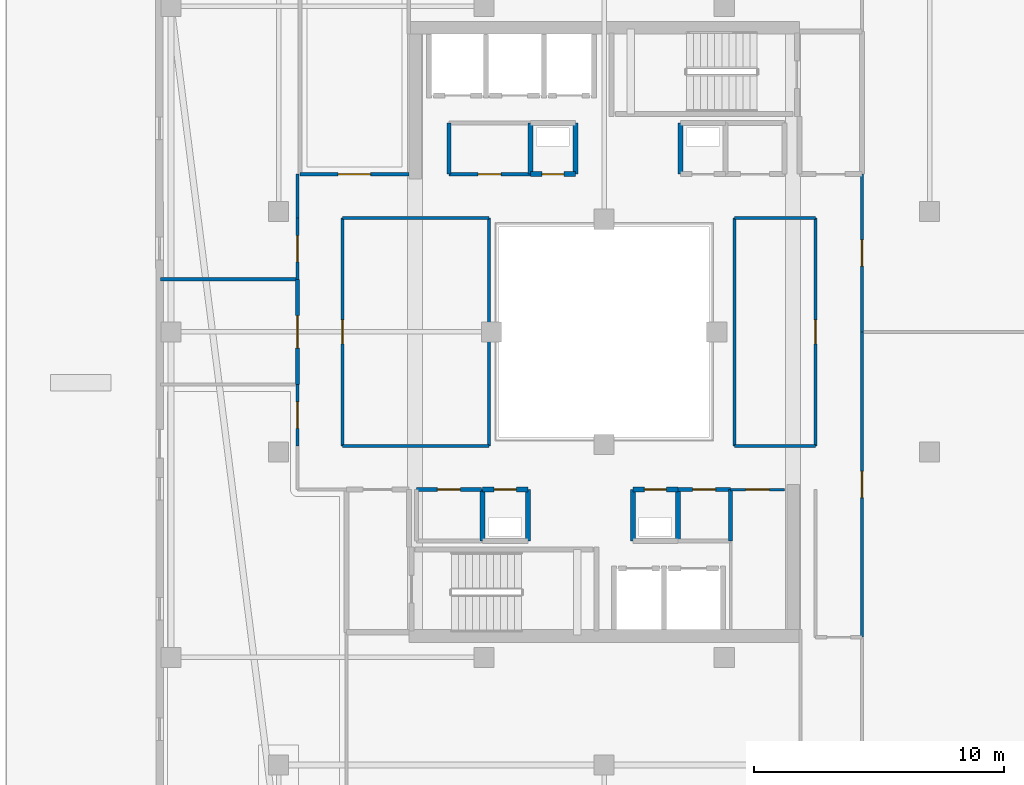
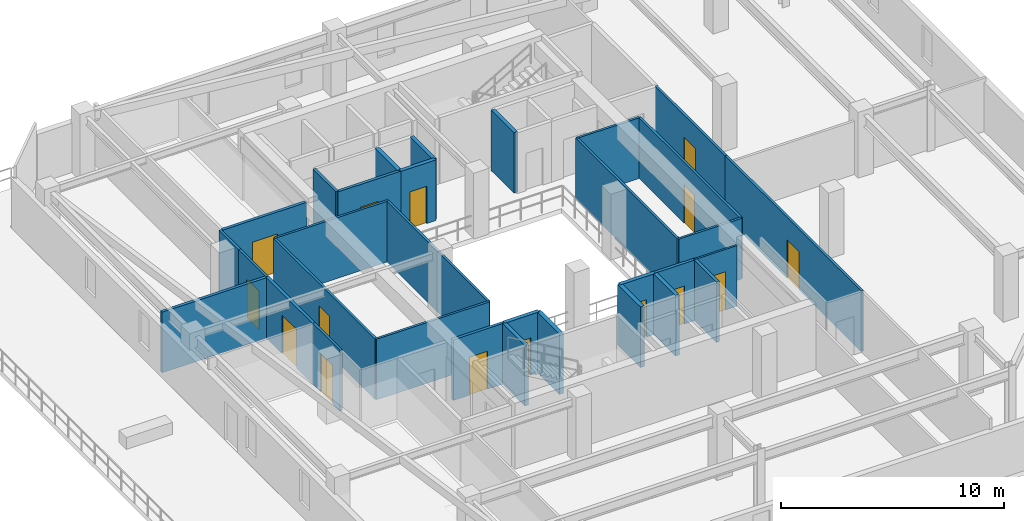
# One storey, part 19 of 31: 32 walls, 15 doors, 15 openings.
"""IFC4 building model written with IfcOpenShell, lengths in metres."""

from ifc_helpers import new_model, si_unit, direction, frame, frame_2d, origin, place, context, subcontext, project, spatial, rectangle, extrude, material, layer, layer_set, type_object, element, fill, save


model = new_model("IFC4")

# Units and contexts
model_context = context("Model", 3, precision=1e-05, world=origin(), true_north=direction((0.0, 1.0)))
body_context = subcontext(model_context, "Body", "Model", "MODEL_VIEW")
ifc_project = project(units=[si_unit("LENGTHUNIT", "METRE"), si_unit("AREAUNIT", "SQUARE_METRE"), si_unit("VOLUMEUNIT", "CUBIC_METRE"), si_unit("PLANEANGLEUNIT", "RADIAN"), si_unit("MASSUNIT", "GRAM", prefix="KILO")], contexts=[model_context])

# Site, building, storey
site_placement = place(None, origin())
site = spatial("IfcSite", under=ifc_project, at=site_placement, CompositionType="ELEMENT")
building_placement = place(site_placement, origin())
building = spatial("IfcBuilding", under=site, at=building_placement, Name="Thornwick Lancets Civic Towers", CompositionType="ELEMENT")
storey_placement = place(building_placement, frame((0.0, 0.0, 254.699951171875)))
storey = spatial("IfcBuildingStorey", under=building, at=storey_placement, Name="L68", CompositionType="ELEMENT", Elevation=254.699951171875)

# Wall
ifc_material_1 = material(Name="Concrete blockwork C40/50", Category="masonry")
ifc_layer_1 = layer(ifc_material_1, 0.199951171875, Name="Concrete blockwork C40/50")
ifc_layer_set_1 = layer_set([ifc_layer_1], Name="Concrete blockwork C40/50")
wall_type_1 = type_object("IfcWallType", Name="WALL_COMP_200", PredefinedType="STANDARD", material=ifc_layer_set_1)
wall_1_placement = place(storey_placement, frame((28.449951171875, 18.64990234375, 0.0), z_axis=(0.0, 0.0, 1.0), x_axis=(0.0, 1.0, 0.0)))
element("IfcWall", 1, at=wall_1_placement, inside=storey, type_object=wall_type_1, Name="L68 Partition L68-A-DUCT1 E2", PredefinedType="STANDARD", context=body_context, shape_type="SweptSolid", body=[
    extrude(rectangle(XDim=2.050048828125, YDim=0.199951171875, at=frame_2d((1.02490234375, 0.0))), origin(), (0.0, 0.0, 1.0), 3.320068359375),
])

# Wall, opening, door
wall_2_placement = place(storey_placement, frame((28.449951171875, 20.699951171875, 0.0), z_axis=(0.0, 0.0, 1.0), x_axis=(-1.0, 0.0, 0.0)))
wall_2 = element("IfcWall", 2, at=wall_2_placement, inside=storey, type_object=wall_type_1, Name="L68 Partition L68-A-DUCT1 E3", PredefinedType="STANDARD", context=body_context, shape_type="SweptSolid", body=[
    extrude(rectangle(XDim=1.800048828125, YDim=0.199951171875, at=frame_2d((0.89990234375, 0.0))), origin(), (0.0, 0.0, 1.0), 3.320068359375),
])
opening_1_placement = place(wall_2_placement, frame((0.4599609375, 0.0, 0.0)))
opening_1 = element("IfcOpeningElement", 3, at=opening_1_placement, cuts=wall_2, Name="Opening D-L68-3093", PredefinedType="OPENING", context=body_context, shape_type="SweptSolid", body=[
    extrude(rectangle(XDim=0.8798828125, YDim=2.0400390625, at=frame_2d((0.43994140625, 1.02001953125))), frame((0.0, 0.10986328125, 0.0), z_axis=(0.0, -1.0, 0.0), x_axis=(1.0, 0.0, 0.0)), (0.0, 0.0, 1.0), 0.219970703125),
])
ifc_material_2 = material(Name="Steel riser access doorset", Category="steel")
door_type_1 = type_object("IfcDoorType", Name="DOOR_RISER_850", OperationType="NOTDEFINED", PredefinedType="DOOR", material=ifc_material_2)
door_1_placement = place(opening_1_placement, origin())
door_1 = element("IfcDoor", 4, at=door_1_placement, inside=storey, type_object=door_type_1, Name="L68 South Service Duct 1 Door", OperationType="SINGLE_SWING_RIGHT", OverallHeight=2.0400390625, OverallWidth=0.8798828125, PredefinedType="DOOR", context=body_context, shape_type="SweptSolid", body=[
    extrude(rectangle(XDim=0.8798828125, YDim=2.0400390625, at=frame_2d((0.43994140625, 1.02001953125))), frame((0.0, 0.02490234375, 0.0), z_axis=(0.0, -1.0, 0.0), x_axis=(1.0, 0.0, 0.0)), (0.0, 0.0, 1.0), 0.050048828125),
])
fill(opening_1, door_1)

# Walls
for number, where, z_axis, x_axis, name in (
    (5, (26.64990234375, 20.699951171875, 0.0), (0.0, 0.0, 1.0), (0.0, -1.0, 0.0), "L68 Partition L68-A-DUCT1 E4"),
    (6, (22.449951171875, 18.64990234375, 0.0), (0.0, 0.0, 1.0), (0.0, 1.0, 0.0), "L68 Partition L68-A-RISER1 E2"),
):
    element("IfcWall", number, at=place(storey_placement, frame(where, z_axis=z_axis, x_axis=x_axis)), inside=storey, type_object=wall_type_1, Name=name, PredefinedType="STANDARD", context=body_context, shape_type="SweptSolid", body=[
        extrude(rectangle(XDim=2.050048828125, YDim=0.199951171875, at=frame_2d((1.02490234375, 0.0))), origin(), (0.0, 0.0, 1.0), 3.320068359375),
    ])

# Wall, opening, door
wall_3_placement = place(storey_placement, frame((22.449951171875, 20.699951171875, 0.0), z_axis=(0.0, 0.0, 1.0), x_axis=(-1.0, 0.0, 0.0)))
wall_3 = element("IfcWall", 7, at=wall_3_placement, inside=storey, type_object=wall_type_1, Name="L68 Partition L68-A-RISER1 E3", PredefinedType="STANDARD", context=body_context, shape_type="SweptSolid", body=[
    extrude(rectangle(XDim=1.800048828125, YDim=0.199951171875, at=frame_2d((0.89990234375, 0.0))), origin(), (0.0, 0.0, 1.0), 3.320068359375),
])
opening_2_placement = place(wall_3_placement, frame((0.4599609375, 0.0, 0.0)))
opening_2 = element("IfcOpeningElement", 8, at=opening_2_placement, cuts=wall_3, Name="Opening D-L68-3094", PredefinedType="OPENING", context=body_context, shape_type="SweptSolid", body=[
    extrude(rectangle(XDim=0.8798828125, YDim=2.0400390625, at=frame_2d((0.43994140625, 1.02001953125))), frame((0.0, 0.10986328125, 0.0), z_axis=(0.0, -1.0, 0.0), x_axis=(1.0, 0.0, 0.0)), (0.0, 0.0, 1.0), 0.219970703125),
])
door_2_placement = place(opening_2_placement, origin())
door_2 = element("IfcDoor", 9, at=door_2_placement, inside=storey, type_object=door_type_1, Name="L68 South Electrical Riser 1 Door", OperationType="SINGLE_SWING_LEFT", OverallHeight=2.0400390625, OverallWidth=0.8798828125, PredefinedType="DOOR", context=body_context, shape_type="SweptSolid", body=[
    extrude(rectangle(XDim=0.8798828125, YDim=2.0400390625, at=frame_2d((0.43994140625, 1.02001953125))), frame((0.0, 0.02490234375, 0.0), z_axis=(0.0, -1.0, 0.0), x_axis=(1.0, 0.0, 0.0)), (0.0, 0.0, 1.0), 0.050048828125),
])
fill(opening_2, door_2)

# Wall
wall_4_placement = place(storey_placement, frame((20.64990234375, 20.699951171875, 0.0), z_axis=(0.0, 0.0, 1.0), x_axis=(0.0, -1.0, 0.0)))
element("IfcWall", 10, at=wall_4_placement, inside=storey, type_object=wall_type_1, Name="L68 Partition L68-A-RISER1 E4", PredefinedType="STANDARD", context=body_context, shape_type="SweptSolid", body=[
    extrude(rectangle(XDim=2.050048828125, YDim=0.199951171875, at=frame_2d((1.02490234375, 0.0))), origin(), (0.0, 0.0, 1.0), 3.320068359375),
])

# Wall, opening, door
wall_5_placement = place(storey_placement, frame((22.550048828125, 33.300048828125, 0.0), z_axis=(0.0, 0.0, 1.0), x_axis=(1.0, 0.0, 0.0)))
wall_5 = element("IfcWall", 11, at=wall_5_placement, inside=storey, type_object=wall_type_1, Name="L68 Partition L68-A-DUCT2 E1", PredefinedType="STANDARD", context=body_context, shape_type="SweptSolid", body=[
    extrude(rectangle(XDim=1.800048828125, YDim=0.199951171875, at=frame_2d((0.89990234375, 0.0))), origin(), (0.0, 0.0, 1.0), 3.320068359375),
])
opening_3_placement = place(wall_5_placement, frame((0.4599609375, 0.0, 0.0)))
opening_3 = element("IfcOpeningElement", 12, at=opening_3_placement, cuts=wall_5, Name="Opening D-L68-3095", PredefinedType="OPENING", context=body_context, shape_type="SweptSolid", body=[
    extrude(rectangle(XDim=0.8798828125, YDim=2.0400390625, at=frame_2d((0.43994140625, 1.02001953125))), frame((0.0, 0.10986328125, 0.0), z_axis=(0.0, -1.0, 0.0), x_axis=(1.0, 0.0, 0.0)), (0.0, 0.0, 1.0), 0.219970703125),
])
door_3_placement = place(opening_3_placement, origin())
door_3 = element("IfcDoor", 13, at=door_3_placement, inside=storey, type_object=door_type_1, Name="L68 North Service Duct 2 Door", OperationType="SINGLE_SWING_RIGHT", OverallHeight=2.0400390625, OverallWidth=0.8798828125, PredefinedType="DOOR", context=body_context, shape_type="SweptSolid", body=[
    extrude(rectangle(XDim=0.8798828125, YDim=2.0400390625, at=frame_2d((0.43994140625, 1.02001953125))), frame((0.0, 0.02490234375, 0.0), z_axis=(0.0, -1.0, 0.0), x_axis=(1.0, 0.0, 0.0)), (0.0, 0.0, 1.0), 0.050048828125),
])
fill(opening_3, door_3)

# Walls
for number, where, z_axis, x_axis, name in (
    (14, (24.35009765625, 33.300048828125, 0.0), (0.0, 0.0, 1.0), (0.0, 1.0, 0.0), "L68 Partition L68-A-DUCT2 E2"),
    (15, (22.550048828125, 35.35009765625, 0.0), (0.0, 0.0, 1.0), (0.0, -1.0, 0.0), "L68 Partition L68-A-DUCT2 E4"),
    (16, (28.550048828125, 35.35009765625, 0.0), (0.0, 0.0, 1.0), (0.0, -1.0, 0.0), "L68 Partition L68-A-RISER2 E4"),
):
    element("IfcWall", number, at=place(storey_placement, frame(where, z_axis=z_axis, x_axis=x_axis)), inside=storey, type_object=wall_type_1, Name=name, PredefinedType="STANDARD", context=body_context, shape_type="SweptSolid", body=[
        extrude(rectangle(XDim=2.050048828125, YDim=0.199951171875, at=frame_2d((1.02490234375, 0.0))), origin(), (0.0, 0.0, 1.0), 3.320068359375),
    ])

# Wall, opening, door
ifc_material_3 = material(Name="Lightweight cellular office partition")
ifc_layer_2 = layer(ifc_material_3, 0.10009765625, Name="Lightweight cellular office partition")
ifc_layer_set_2 = layer_set([ifc_layer_2], Name="Lightweight cellular office partition")
wall_type_2 = type_object("IfcWallType", Name="WALL_PART_100", PredefinedType="PARTITIONING", material=ifc_layer_set_2)
wall_6_placement = place(storey_placement, frame((30.550048828125, 20.699951171875, 0.0), z_axis=(0.0, 0.0, 1.0), x_axis=(1.0, 0.0, 0.0)))
wall_6 = element("IfcWall", 17, at=wall_6_placement, inside=storey, type_object=wall_type_2, Name="L68 Partition L68-A-CLN E5", PredefinedType="PARTITIONING", context=body_context, shape_type="SweptSolid", body=[
    extrude(rectangle(XDim=2.14990234375, YDim=0.10009765625, at=frame_2d((1.074951171875, 0.0))), origin(), (0.0, 0.0, 1.0), 3.320068359375),
])
opening_4_placement = place(wall_6_placement, frame((0.60009765625, 0.0, 0.0)))
opening_4 = element("IfcOpeningElement", 18, at=opening_4_placement, cuts=wall_6, Name="Opening D-L68-3099", PredefinedType="OPENING", context=body_context, shape_type="SweptSolid", body=[
    extrude(rectangle(XDim=0.949951171875, YDim=2.10009765625, at=frame_2d((0.47509765625, 1.050048828125))), frame((0.0, 0.06005859375, 0.0), z_axis=(0.0, -1.0, 0.0), x_axis=(1.0, 0.0, 0.0)), (0.0, 0.0, 1.0), 0.1201171875),
])
ifc_material_4 = material(Name="European oak acoustic doorset")
door_type_2 = type_object("IfcDoorType", Name="DOOR_OFFICE_950", OperationType="NOTDEFINED", PredefinedType="DOOR", material=ifc_material_4)
door_4_placement = place(opening_4_placement, origin())
door_4 = element("IfcDoor", 19, at=door_4_placement, inside=storey, type_object=door_type_2, Name="L68 Tower A Cleaners Store Door", OperationType="SINGLE_SWING_RIGHT", OverallHeight=2.10009765625, OverallWidth=0.949951171875, PredefinedType="DOOR", context=body_context, shape_type="SweptSolid", body=[
    extrude(rectangle(XDim=0.949951171875, YDim=2.10009765625, at=frame_2d((0.47509765625, 1.050048828125))), frame((0.0, 0.02490234375, 0.0), z_axis=(0.0, -1.0, 0.0), x_axis=(1.0, 0.0, 0.0)), (0.0, 0.0, 1.0), 0.050048828125),
])
fill(opening_4, door_4)

ifc_material_5 = material(Name="Acoustic gypsum board partition")
ifc_layer_3 = layer(ifc_material_5, 0.1201171875, Name="Acoustic gypsum board partition")
ifc_layer_set_3 = layer_set([ifc_layer_3], Name="Acoustic gypsum board partition")
wall_type_3 = type_object("IfcWallType", Name="WALL_PART_120", PredefinedType="PARTITIONING", material=ifc_layer_set_3)
wall_7_placement = place(storey_placement, frame((13.25, 24.89990234375, 0.0), z_axis=(0.0, 0.0, 1.0), x_axis=(0.0, -1.0, 0.0)))
wall_7 = element("IfcWall", 20, at=wall_7_placement, inside=storey, type_object=wall_type_3, Name="L68 Partition L68-A-W1 E1", PredefinedType="PARTITIONING", context=body_context, shape_type="SweptSolid", body=[
    extrude(rectangle(XDim=2.449951171875, YDim=0.1201171875, at=frame_2d((1.22509765625, 0.0))), origin(), (0.0, 0.0, 1.0), 3.320068359375),
])
opening_5_placement = place(wall_7_placement, frame((0.699951171875, 0.0, 0.0)))
opening_5 = element("IfcOpeningElement", 21, at=opening_5_placement, cuts=wall_7, Name="Opening D-L68-3115", PredefinedType="OPENING", context=body_context, shape_type="SweptSolid", body=[
    extrude(rectangle(XDim=1.050048828125, YDim=2.10009765625, at=frame_2d((0.52490234375, 1.050048828125))), frame((0.0, 0.070068359375, 0.0), z_axis=(0.0, -1.0, 0.0), x_axis=(1.0, 0.0, 0.0)), (0.0, 0.0, 1.0), 0.14013671875),
])
ifc_material_6 = material(Name="Glazed European oak executive doorset")
door_type_3 = type_object("IfcDoorType", Name="DOOR_OFFICE_1050", OperationType="NOTDEFINED", PredefinedType="DOOR", material=ifc_material_6)
door_5_placement = place(opening_5_placement, origin())
door_5 = element("IfcDoor", 22, at=door_5_placement, inside=storey, type_object=door_type_3, Name="L68 Tower A Ministry Directorate Office W1 Door", OperationType="SINGLE_SWING_RIGHT", OverallHeight=2.10009765625, OverallWidth=1.050048828125, PredefinedType="DOOR", context=body_context, shape_type="SweptSolid", body=[
    extrude(rectangle(XDim=1.050048828125, YDim=2.10009765625, at=frame_2d((0.52490234375, 1.050048828125))), frame((0.0, 0.02490234375, 0.0), z_axis=(0.0, -1.0, 0.0), x_axis=(1.0, 0.0, 0.0)), (0.0, 0.0, 1.0), 0.050048828125),
])
fill(opening_5, door_5)

# Wall
wall_8_placement = place(storey_placement, frame((13.25, 33.300048828125, 0.0), z_axis=(0.0, 0.0, 1.0), x_axis=(0.0, -1.0, 0.0)))
element("IfcWall", 23, at=wall_8_placement, inside=storey, type_object=wall_type_3, Name="L68 Partition L68-A-W2B E5", PredefinedType="PARTITIONING", context=body_context, shape_type="SweptSolid", body=[
    extrude(rectangle(XDim=1.75, YDim=0.1201171875, at=frame_2d((0.875, 0.0))), origin(), (0.0, 0.0, 1.0), 3.320068359375),
])

# Wall, opening, door
wall_9_placement = place(storey_placement, frame((13.25, 31.550048828125, 0.0), z_axis=(0.0, 0.0, 1.0), x_axis=(0.0, -1.0, 0.0)))
wall_9 = element("IfcWall", 24, at=wall_9_placement, inside=storey, type_object=wall_type_3, Name="L68 Partition L68-A-W2B E6", PredefinedType="PARTITIONING", context=body_context, shape_type="SweptSolid", body=[
    extrude(rectangle(XDim=2.449951171875, YDim=0.1201171875, at=frame_2d((1.22509765625, 0.0))), origin(), (0.0, 0.0, 1.0), 3.320068359375),
])
opening_6_placement = place(wall_9_placement, frame((0.699951171875, 0.0, 0.0)))
opening_6 = element("IfcOpeningElement", 25, at=opening_6_placement, cuts=wall_9, Name="Opening D-L68-3117", PredefinedType="OPENING", context=body_context, shape_type="SweptSolid", body=[
    extrude(rectangle(XDim=1.050048828125, YDim=2.10009765625, at=frame_2d((0.52490234375, 1.050048828125))), frame((0.0, 0.070068359375, 0.0), z_axis=(0.0, -1.0, 0.0), x_axis=(1.0, 0.0, 0.0)), (0.0, 0.0, 1.0), 0.14013671875),
])
door_6_placement = place(opening_6_placement, origin())
door_6 = element("IfcDoor", 26, at=door_6_placement, inside=storey, type_object=door_type_3, Name="L68 Tower A Parliamentary Casework Suite W2B Door", OperationType="SINGLE_SWING_RIGHT", OverallHeight=2.10009765625, OverallWidth=1.050048828125, PredefinedType="DOOR", context=body_context, shape_type="SweptSolid", body=[
    extrude(rectangle(XDim=1.050048828125, YDim=2.10009765625, at=frame_2d((0.52490234375, 1.050048828125))), frame((0.0, 0.02490234375, 0.0), z_axis=(0.0, -1.0, 0.0), x_axis=(1.0, 0.0, 0.0)), (0.0, 0.0, 1.0), 0.050048828125),
])
fill(opening_6, door_6)

wall_10_placement = place(storey_placement, frame((15.050048828125, 22.449951171875, 0.0), z_axis=(0.0, 0.0, 1.0), x_axis=(0.0, 1.0, 0.0)))
wall_10 = element("IfcWall", 27, at=wall_10_placement, inside=storey, type_object=wall_type_3, Name="L68 Partition L68-A-W3 E1", PredefinedType="PARTITIONING", context=body_context, shape_type="SweptSolid", body=[
    extrude(rectangle(XDim=9.10009765625, YDim=0.1201171875, at=frame_2d((4.550048828125, 0.0))), origin(), (0.0, 0.0, 1.0), 3.320068359375),
])
opening_7_placement = place(wall_10_placement, frame((4.074951171875, 0.0, 0.0)))
opening_7 = element("IfcOpeningElement", 28, at=opening_7_placement, cuts=wall_10, Name="Opening D-L68-3118", PredefinedType="OPENING", context=body_context, shape_type="SweptSolid", body=[
    extrude(rectangle(XDim=0.949951171875, YDim=2.10009765625, at=frame_2d((0.47509765625, 1.050048828125))), frame((0.0, 0.070068359375, 0.0), z_axis=(0.0, -1.0, 0.0), x_axis=(1.0, 0.0, 0.0)), (0.0, 0.0, 1.0), 0.14013671875),
])
door_7_placement = place(opening_7_placement, origin())
door_7 = element("IfcDoor", 29, at=door_7_placement, inside=storey, type_object=door_type_2, Name="L68 Tower A West Atrium Gallery Suite Door", OperationType="SINGLE_SWING_LEFT", OverallHeight=2.10009765625, OverallWidth=0.949951171875, PredefinedType="DOOR", context=body_context, shape_type="SweptSolid", body=[
    extrude(rectangle(XDim=0.949951171875, YDim=2.10009765625, at=frame_2d((0.47509765625, 1.050048828125))), frame((0.0, 0.02490234375, 0.0), z_axis=(0.0, -1.0, 0.0), x_axis=(1.0, 0.0, 0.0)), (0.0, 0.0, 1.0), 0.050048828125),
])
fill(opening_7, door_7)

# Walls
wall_11_placement = place(storey_placement, frame((15.050048828125, 31.550048828125, 0.0), z_axis=(0.0, 0.0, 1.0), x_axis=(1.0, 0.0, 0.0)))
element("IfcWall", 30, at=wall_11_placement, inside=storey, type_object=wall_type_3, Name="L68 Partition L68-A-W3 E2", PredefinedType="PARTITIONING", context=body_context, shape_type="SweptSolid", body=[
    extrude(rectangle(XDim=5.849853515625, YDim=0.1201171875, at=frame_2d((2.9248046875, 0.0))), origin(), (0.0, 0.0, 1.0), 3.320068359375),
])
wall_12_placement = place(storey_placement, frame((20.89990234375, 31.550048828125, 0.0), z_axis=(0.0, 0.0, 1.0), x_axis=(0.0, -1.0, 0.0)))
element("IfcWall", 31, at=wall_12_placement, inside=storey, type_object=wall_type_3, Name="L68 Partition L68-A-W3 E3", PredefinedType="PARTITIONING", context=body_context, shape_type="SweptSolid", body=[
    extrude(rectangle(XDim=9.10009765625, YDim=0.1201171875, at=frame_2d((4.550048828125, 0.0))), origin(), (0.0, 0.0, 1.0), 3.320068359375),
])
wall_13_placement = place(storey_placement, frame((20.89990234375, 22.449951171875, 0.0), z_axis=(0.0, 0.0, 1.0), x_axis=(-1.0, 0.0, 0.0)))
element("IfcWall", 32, at=wall_13_placement, inside=storey, type_object=wall_type_3, Name="L68 Partition L68-A-W3 E4", PredefinedType="PARTITIONING", context=body_context, shape_type="SweptSolid", body=[
    extrude(rectangle(XDim=5.849853515625, YDim=0.1201171875, at=frame_2d((2.9248046875, 0.0))), origin(), (0.0, 0.0, 1.0), 3.320068359375),
])

# Wall, opening, door
wall_14_placement = place(storey_placement, frame((35.800048828125, 14.800048828125, 0.0), z_axis=(0.0, 0.0, 1.0), x_axis=(0.0, 1.0, 0.0)))
wall_14 = element("IfcWall", 33, at=wall_14_placement, inside=storey, type_object=wall_type_3, Name="L68 Partition L68-A-E1 E3", PredefinedType="PARTITIONING", context=body_context, shape_type="SweptSolid", body=[
    extrude(rectangle(XDim=12.199951171875, YDim=0.1201171875, at=frame_2d((6.10009765625, 0.0))), origin(), (0.0, 0.0, 1.0), 3.320068359375),
])
opening_8_placement = place(wall_14_placement, frame((5.574951171875, 0.0, 0.0)))
opening_8 = element("IfcOpeningElement", 34, at=opening_8_placement, cuts=wall_14, Name="Opening D-L68-3119", PredefinedType="OPENING", context=body_context, shape_type="SweptSolid", body=[
    extrude(rectangle(XDim=1.050048828125, YDim=2.10009765625, at=frame_2d((0.52490234375, 1.050048828125))), frame((0.0, 0.070068359375, 0.0), z_axis=(0.0, -1.0, 0.0), x_axis=(1.0, 0.0, 0.0)), (0.0, 0.0, 1.0), 0.14013671875),
])
door_8_placement = place(opening_8_placement, origin())
door_8 = element("IfcDoor", 35, at=door_8_placement, inside=storey, type_object=door_type_3, Name="L68 Tower A Secretariat Open Office E1 Door", OperationType="SINGLE_SWING_RIGHT", OverallHeight=2.10009765625, OverallWidth=1.050048828125, PredefinedType="DOOR", context=body_context, shape_type="SweptSolid", body=[
    extrude(rectangle(XDim=1.050048828125, YDim=2.10009765625, at=frame_2d((0.52490234375, 1.050048828125))), frame((0.0, 0.02490234375, 0.0), z_axis=(0.0, -1.0, 0.0), x_axis=(1.0, 0.0, 0.0)), (0.0, 0.0, 1.0), 0.050048828125),
])
fill(opening_8, door_8)

wall_15_placement = place(storey_placement, frame((35.800048828125, 27.0, 0.0), z_axis=(0.0, 0.0, 1.0), x_axis=(0.0, 1.0, 0.0)))
wall_15 = element("IfcWall", 36, at=wall_15_placement, inside=storey, type_object=wall_type_3, Name="L68 Partition L68-A-E2 E7", PredefinedType="PARTITIONING", context=body_context, shape_type="SweptSolid", body=[
    extrude(rectangle(XDim=6.300048828125, YDim=0.1201171875, at=frame_2d((3.14990234375, 0.0))), origin(), (0.0, 0.0, 1.0), 3.320068359375),
])
opening_9_placement = place(wall_15_placement, frame((2.625, 0.0, 0.0)))
opening_9 = element("IfcOpeningElement", 37, at=opening_9_placement, cuts=wall_15, Name="Opening D-L68-3120", PredefinedType="OPENING", context=body_context, shape_type="SweptSolid", body=[
    extrude(rectangle(XDim=1.050048828125, YDim=2.10009765625, at=frame_2d((0.52490234375, 1.050048828125))), frame((0.0, 0.070068359375, 0.0), z_axis=(0.0, -1.0, 0.0), x_axis=(1.0, 0.0, 0.0)), (0.0, 0.0, 1.0), 0.14013671875),
])
door_9_placement = place(opening_9_placement, origin())
door_9 = element("IfcDoor", 38, at=door_9_placement, inside=storey, type_object=door_type_3, Name="L68 Tower A Visitors Reception and Waiting Door", OperationType="SINGLE_SWING_LEFT", OverallHeight=2.10009765625, OverallWidth=1.050048828125, PredefinedType="DOOR", context=body_context, shape_type="SweptSolid", body=[
    extrude(rectangle(XDim=1.050048828125, YDim=2.10009765625, at=frame_2d((0.52490234375, 1.050048828125))), frame((0.0, 0.02490234375, 0.0), z_axis=(0.0, -1.0, 0.0), x_axis=(1.0, 0.0, 0.0)), (0.0, 0.0, 1.0), 0.050048828125),
])
fill(opening_9, door_9)

# Walls
wall_16_placement = place(storey_placement, frame((30.699951171875, 22.449951171875, 0.0), z_axis=(0.0, 0.0, 1.0), x_axis=(0.0, 1.0, 0.0)))
element("IfcWall", 39, at=wall_16_placement, inside=storey, type_object=wall_type_3, Name="L68 Partition L68-A-E-ATRIUM-OFF E1", PredefinedType="PARTITIONING", context=body_context, shape_type="SweptSolid", body=[
    extrude(rectangle(XDim=9.10009765625, YDim=0.1201171875, at=frame_2d((4.550048828125, 0.0))), origin(), (0.0, 0.0, 1.0), 3.320068359375),
])
wall_17_placement = place(storey_placement, frame((30.699951171875, 31.550048828125, 0.0), z_axis=(0.0, 0.0, 1.0), x_axis=(1.0, 0.0, 0.0)))
element("IfcWall", 40, at=wall_17_placement, inside=storey, type_object=wall_type_3, Name="L68 Partition L68-A-E-ATRIUM-OFF E2", PredefinedType="PARTITIONING", context=body_context, shape_type="SweptSolid", body=[
    extrude(rectangle(XDim=3.25, YDim=0.1201171875, at=frame_2d((1.625, 0.0))), origin(), (0.0, 0.0, 1.0), 3.320068359375),
])

# Wall, opening, door
wall_18_placement = place(storey_placement, frame((33.949951171875, 31.550048828125, 0.0), z_axis=(0.0, 0.0, 1.0), x_axis=(0.0, -1.0, 0.0)))
wall_18 = element("IfcWall", 41, at=wall_18_placement, inside=storey, type_object=wall_type_3, Name="L68 Partition L68-A-E-ATRIUM-OFF E3", PredefinedType="PARTITIONING", context=body_context, shape_type="SweptSolid", body=[
    extrude(rectangle(XDim=9.10009765625, YDim=0.1201171875, at=frame_2d((4.550048828125, 0.0))), origin(), (0.0, 0.0, 1.0), 3.320068359375),
])
opening_10_placement = place(wall_18_placement, frame((4.074951171875, 0.0, 0.0)))
opening_10 = element("IfcOpeningElement", 42, at=opening_10_placement, cuts=wall_18, Name="Opening D-L68-3121", PredefinedType="OPENING", context=body_context, shape_type="SweptSolid", body=[
    extrude(rectangle(XDim=0.949951171875, YDim=2.10009765625, at=frame_2d((0.47509765625, 1.050048828125))), frame((0.0, 0.070068359375, 0.0), z_axis=(0.0, -1.0, 0.0), x_axis=(1.0, 0.0, 0.0)), (0.0, 0.0, 1.0), 0.14013671875),
])
door_10_placement = place(opening_10_placement, origin())
door_10 = element("IfcDoor", 43, at=door_10_placement, inside=storey, type_object=door_type_2, Name="L68 Tower A Atrium Policy Office Door", OperationType="SINGLE_SWING_RIGHT", OverallHeight=2.10009765625, OverallWidth=0.949951171875, PredefinedType="DOOR", context=body_context, shape_type="SweptSolid", body=[
    extrude(rectangle(XDim=0.949951171875, YDim=2.10009765625, at=frame_2d((0.47509765625, 1.050048828125))), frame((0.0, 0.02490234375, 0.0), z_axis=(0.0, -1.0, 0.0), x_axis=(1.0, 0.0, 0.0)), (0.0, 0.0, 1.0), 0.050048828125),
])
fill(opening_10, door_10)

# Wall
wall_19_placement = place(storey_placement, frame((33.949951171875, 22.449951171875, 0.0), z_axis=(0.0, 0.0, 1.0), x_axis=(-1.0, 0.0, 0.0)))
element("IfcWall", 44, at=wall_19_placement, inside=storey, type_object=wall_type_3, Name="L68 Partition L68-A-E-ATRIUM-OFF E4", PredefinedType="PARTITIONING", context=body_context, shape_type="SweptSolid", body=[
    extrude(rectangle(XDim=3.25, YDim=0.1201171875, at=frame_2d((1.625, 0.0))), origin(), (0.0, 0.0, 1.0), 3.320068359375),
])

# Wall, opening, door
ifc_material_7 = material(Name="Twin-stud acoustic gypsum board")
ifc_layer_4 = layer(ifc_material_7, 0.14990234375, Name="Twin-stud acoustic gypsum board")
ifc_layer_set_4 = layer_set([ifc_layer_4], Name="Twin-stud acoustic gypsum board")
wall_type_4 = type_object("IfcWallType", Name="WALL_PART_150", PredefinedType="PARTITIONING", material=ifc_layer_set_4)
wall_20_placement = place(storey_placement, frame((20.60009765625, 20.699951171875, 0.0), z_axis=(0.0, 0.0, 1.0), x_axis=(-1.0, 0.0, 0.0)))
wall_20 = element("IfcWall", 45, at=wall_20_placement, inside=storey, type_object=wall_type_4, Name="L68 Partition L68-A-AWC E3", PredefinedType="PARTITIONING", context=body_context, shape_type="SweptSolid", body=[
    extrude(rectangle(XDim=2.60009765625, YDim=0.14990234375, at=frame_2d((1.300048828125, 0.0))), origin(), (0.0, 0.0, 1.0), 3.320068359375),
])
opening_11_placement = place(wall_20_placement, frame((0.840087890625, 0.0, 0.0)))
opening_11 = element("IfcOpeningElement", 46, at=opening_11_placement, cuts=wall_20, Name="Opening D-L68-3097", PredefinedType="OPENING", context=body_context, shape_type="SweptSolid", body=[
    extrude(rectangle(XDim=0.919921875, YDim=2.080078125, at=frame_2d((0.4599609375, 1.0400390625))), frame((0.0, 0.0849609375, 0.0), z_axis=(0.0, -1.0, 0.0), x_axis=(1.0, 0.0, 0.0)), (0.0, 0.0, 1.0), 0.169921875),
])
ifc_material_8 = material(Name="Moisture-resistant oak doorset")
door_type_4 = type_object("IfcDoorType", Name="DOOR_WC_900", OperationType="NOTDEFINED", PredefinedType="DOOR", material=ifc_material_8)
door_11_placement = place(opening_11_placement, origin())
door_11 = element("IfcDoor", 47, at=door_11_placement, inside=storey, type_object=door_type_4, Name="L68 Tower A Accessible WC Door", OperationType="SINGLE_SWING_RIGHT", OverallHeight=2.080078125, OverallWidth=0.919921875, PredefinedType="DOOR", context=body_context, shape_type="SweptSolid", body=[
    extrude(rectangle(XDim=0.919921875, YDim=2.080078125, at=frame_2d((0.4599609375, 1.0400390625))), frame((0.0, 0.02490234375, 0.0), z_axis=(0.0, -1.0, 0.0), x_axis=(1.0, 0.0, 0.0)), (0.0, 0.0, 1.0), 0.050048828125),
])
fill(opening_11, door_11)

# Wall
wall_21_placement = place(storey_placement, frame((30.550048828125, 20.699951171875, 0.0), z_axis=(0.0, 0.0, 1.0), x_axis=(0.0, -1.0, 0.0)))
element("IfcWall", 48, at=wall_21_placement, inside=storey, type_object=wall_type_4, Name="L68 Partition L68-A-MWC E1", PredefinedType="PARTITIONING", context=body_context, shape_type="SweptSolid", body=[
    extrude(rectangle(XDim=2.050048828125, YDim=0.14990234375, at=frame_2d((1.02490234375, 0.0))), origin(), (0.0, 0.0, 1.0), 3.320068359375),
])

# Wall, opening, door
wall_22_placement = place(storey_placement, frame((28.449951171875, 20.699951171875, 0.0), z_axis=(0.0, 0.0, 1.0), x_axis=(1.0, 0.0, 0.0)))
wall_22 = element("IfcWall", 49, at=wall_22_placement, inside=storey, type_object=wall_type_4, Name="L68 Partition L68-A-MWC E4", PredefinedType="PARTITIONING", context=body_context, shape_type="SweptSolid", body=[
    extrude(rectangle(XDim=2.10009765625, YDim=0.14990234375, at=frame_2d((1.050048828125, 0.0))), origin(), (0.0, 0.0, 1.0), 3.320068359375),
])
opening_12_placement = place(wall_22_placement, frame((0.590087890625, 0.0, 0.0)))
opening_12 = element("IfcOpeningElement", 50, at=opening_12_placement, cuts=wall_22, Name="Opening D-L68-3098", PredefinedType="OPENING", context=body_context, shape_type="SweptSolid", body=[
    extrude(rectangle(XDim=0.919921875, YDim=2.080078125, at=frame_2d((0.4599609375, 1.0400390625))), frame((0.0, 0.0849609375, 0.0), z_axis=(0.0, -1.0, 0.0), x_axis=(1.0, 0.0, 0.0)), (0.0, 0.0, 1.0), 0.169921875),
])
door_12_placement = place(opening_12_placement, origin())
door_12 = element("IfcDoor", 51, at=door_12_placement, inside=storey, type_object=door_type_4, Name="L68 Tower A Male WC Door", OperationType="SINGLE_SWING_LEFT", OverallHeight=2.080078125, OverallWidth=0.919921875, PredefinedType="DOOR", context=body_context, shape_type="SweptSolid", body=[
    extrude(rectangle(XDim=0.919921875, YDim=2.080078125, at=frame_2d((0.4599609375, 1.0400390625))), frame((0.0, 0.02490234375, 0.0), z_axis=(0.0, -1.0, 0.0), x_axis=(1.0, 0.0, 0.0)), (0.0, 0.0, 1.0), 0.050048828125),
])
fill(opening_12, door_12)

# Wall
wall_23_placement = place(storey_placement, frame((19.300048828125, 33.300048828125, 0.0), z_axis=(0.0, 0.0, 1.0), x_axis=(0.0, 1.0, 0.0)))
element("IfcWall", 52, at=wall_23_placement, inside=storey, type_object=wall_type_4, Name="L68 Partition L68-A-FWC E1", PredefinedType="PARTITIONING", context=body_context, shape_type="SweptSolid", body=[
    extrude(rectangle(XDim=2.050048828125, YDim=0.14990234375, at=frame_2d((1.02490234375, 0.0))), origin(), (0.0, 0.0, 1.0), 3.320068359375),
])

# Wall, opening, door
wall_24_placement = place(storey_placement, frame((22.550048828125, 33.300048828125, 0.0), z_axis=(0.0, 0.0, 1.0), x_axis=(-1.0, 0.0, 0.0)))
wall_24 = element("IfcWall", 53, at=wall_24_placement, inside=storey, type_object=wall_type_4, Name="L68 Partition L68-A-FWC E4", PredefinedType="PARTITIONING", context=body_context, shape_type="SweptSolid", body=[
    extrude(rectangle(XDim=3.25, YDim=0.14990234375, at=frame_2d((1.625, 0.0))), origin(), (0.0, 0.0, 1.0), 3.320068359375),
])
opening_13_placement = place(wall_24_placement, frame((1.1650390625, 0.0, 0.0)))
opening_13 = element("IfcOpeningElement", 54, at=opening_13_placement, cuts=wall_24, Name="Opening D-L68-3100", PredefinedType="OPENING", context=body_context, shape_type="SweptSolid", body=[
    extrude(rectangle(XDim=0.919921875, YDim=2.080078125, at=frame_2d((0.4599609375, 1.0400390625))), frame((0.0, 0.0849609375, 0.0), z_axis=(0.0, -1.0, 0.0), x_axis=(1.0, 0.0, 0.0)), (0.0, 0.0, 1.0), 0.169921875),
])
door_13_placement = place(opening_13_placement, origin())
door_13 = element("IfcDoor", 55, at=door_13_placement, inside=storey, type_object=door_type_4, Name="L68 Tower A Female WC Door", OperationType="SINGLE_SWING_LEFT", OverallHeight=2.080078125, OverallWidth=0.919921875, PredefinedType="DOOR", context=body_context, shape_type="SweptSolid", body=[
    extrude(rectangle(XDim=0.919921875, YDim=2.080078125, at=frame_2d((0.4599609375, 1.0400390625))), frame((0.0, 0.02490234375, 0.0), z_axis=(0.0, -1.0, 0.0), x_axis=(1.0, 0.0, 0.0)), (0.0, 0.0, 1.0), 0.050048828125),
])
fill(opening_13, door_13)

wall_25_placement = place(storey_placement, frame((17.699951171875, 33.300048828125, 0.0), z_axis=(0.0, 0.0, 1.0), x_axis=(-1.0, 0.0, 0.0)))
wall_25 = element("IfcWall", 56, at=wall_25_placement, inside=storey, type_object=wall_type_4, Name="L68 Partition L68-A-RECLAIM-M1 E4", PredefinedType="PARTITIONING", context=body_context, shape_type="SweptSolid", body=[
    extrude(rectangle(XDim=4.349853515625, YDim=0.14990234375, at=frame_2d((2.1748046875, 0.0))), origin(), (0.0, 0.0, 1.0), 3.320068359375),
])
opening_14_placement = place(wall_25_placement, frame((1.52490234375, 0.0, 0.0)))
opening_14 = element("IfcOpeningElement", 57, at=opening_14_placement, cuts=wall_25, Name="Opening D-L68-3114", PredefinedType="OPENING", context=body_context, shape_type="SweptSolid", body=[
    extrude(rectangle(XDim=1.300048828125, YDim=2.1201171875, at=frame_2d((0.64990234375, 1.06005859375))), frame((0.0, 0.0849609375, 0.0), z_axis=(0.0, -1.0, 0.0), x_axis=(1.0, 0.0, 0.0)), (0.0, 0.0, 1.0), 0.169921875),
])
ifc_material_9 = material(Name="Acoustic oak leaf-and-a-half doorset")
door_type_5 = type_object("IfcDoorType", Name="DOOR_MEET_1300", OperationType="DOUBLE_DOOR_SINGLE_SWING", PredefinedType="DOOR", material=ifc_material_9)
door_14_placement = place(opening_14_placement, origin())
door_14 = element("IfcDoor", 58, at=door_14_placement, inside=storey, type_object=door_type_5, Name="L68 Tower A Diplomatic Conference Suite Door", OperationType="DOUBLE_DOOR_SINGLE_SWING", OverallHeight=2.1201171875, OverallWidth=1.300048828125, PredefinedType="DOOR", context=body_context, shape_type="SweptSolid", body=[
    extrude(rectangle(XDim=1.300048828125, YDim=2.1201171875, at=frame_2d((0.64990234375, 1.06005859375))), frame((0.0, 0.02490234375, 0.0), z_axis=(0.0, -1.0, 0.0), x_axis=(1.0, 0.0, 0.0)), (0.0, 0.0, 1.0), 0.050048828125),
])
fill(opening_14, door_14)

wall_26_placement = place(storey_placement, frame((13.25, 29.10009765625, 0.0), z_axis=(0.0, 0.0, 1.0), x_axis=(0.0, -1.0, 0.0)))
wall_26 = element("IfcWall", 59, at=wall_26_placement, inside=storey, type_object=wall_type_4, Name="L68 Partition L68-A-W2 E1", PredefinedType="PARTITIONING", context=body_context, shape_type="SweptSolid", body=[
    extrude(rectangle(XDim=4.2001953125, YDim=0.14990234375, at=frame_2d((2.10009765625, 0.0))), origin(), (0.0, 0.0, 1.0), 3.320068359375),
])
opening_15_placement = place(wall_26_placement, frame((1.449951171875, 0.0, 0.0)))
opening_15 = element("IfcOpeningElement", 60, at=opening_15_placement, cuts=wall_26, Name="Opening D-L68-3116", PredefinedType="OPENING", context=body_context, shape_type="SweptSolid", body=[
    extrude(rectangle(XDim=1.300048828125, YDim=2.1201171875, at=frame_2d((0.64990234375, 1.06005859375))), frame((0.0, 0.0849609375, 0.0), z_axis=(0.0, -1.0, 0.0), x_axis=(1.0, 0.0, 0.0)), (0.0, 0.0, 1.0), 0.169921875),
])
door_15_placement = place(opening_15_placement, origin())
door_15 = element("IfcDoor", 61, at=door_15_placement, inside=storey, type_object=door_type_5, Name="L68 Tower A Policy Briefing Room W2 Door", OperationType="DOUBLE_DOOR_SINGLE_SWING", OverallHeight=2.1201171875, OverallWidth=1.300048828125, PredefinedType="DOOR", context=body_context, shape_type="SweptSolid", body=[
    extrude(rectangle(XDim=1.300048828125, YDim=2.1201171875, at=frame_2d((0.64990234375, 1.06005859375))), frame((0.0, 0.02490234375, 0.0), z_axis=(0.0, -1.0, 0.0), x_axis=(1.0, 0.0, 0.0)), (0.0, 0.0, 1.0), 0.050048828125),
])
fill(opening_15, door_15)

# Wall
wall_27_placement = place(storey_placement, frame((7.780029296875, 29.10009765625, 0.0), z_axis=(0.0, 0.0, 1.0), x_axis=(1.0, 0.0, 0.0)))
element("IfcWall", 62, at=wall_27_placement, inside=storey, type_object=wall_type_4, Name="L68 Partition L68-A-W2 E4", PredefinedType="PARTITIONING", context=body_context, shape_type="SweptSolid", body=[
    extrude(rectangle(XDim=5.469970703125, YDim=0.14990234375, at=frame_2d((2.73486328125, 0.0))), origin(), (0.0, 0.0, 1.0), 3.320068359375),
])

save(model, "model.ifc")
